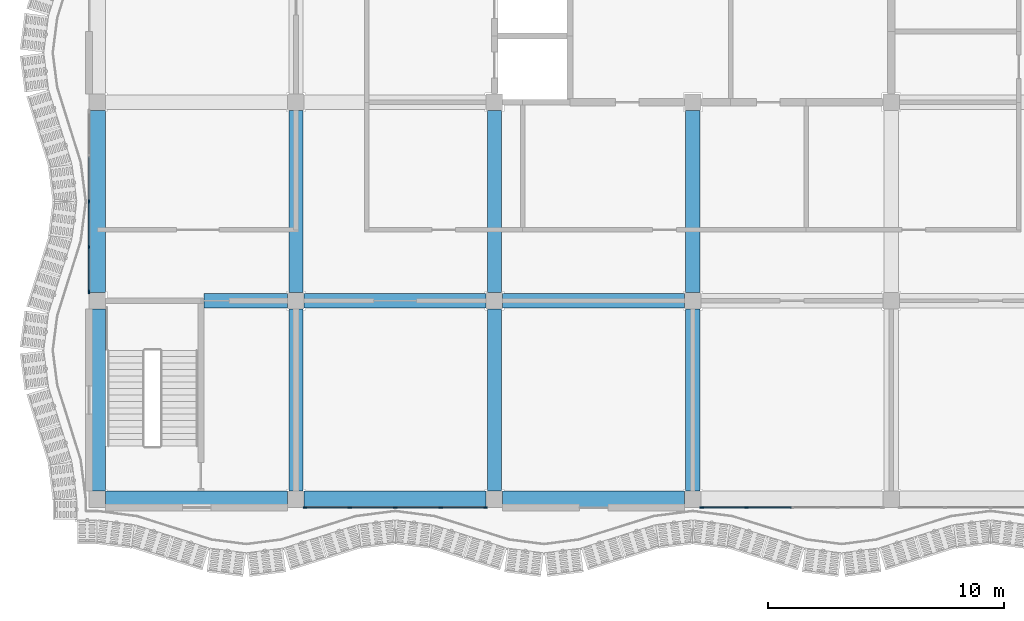
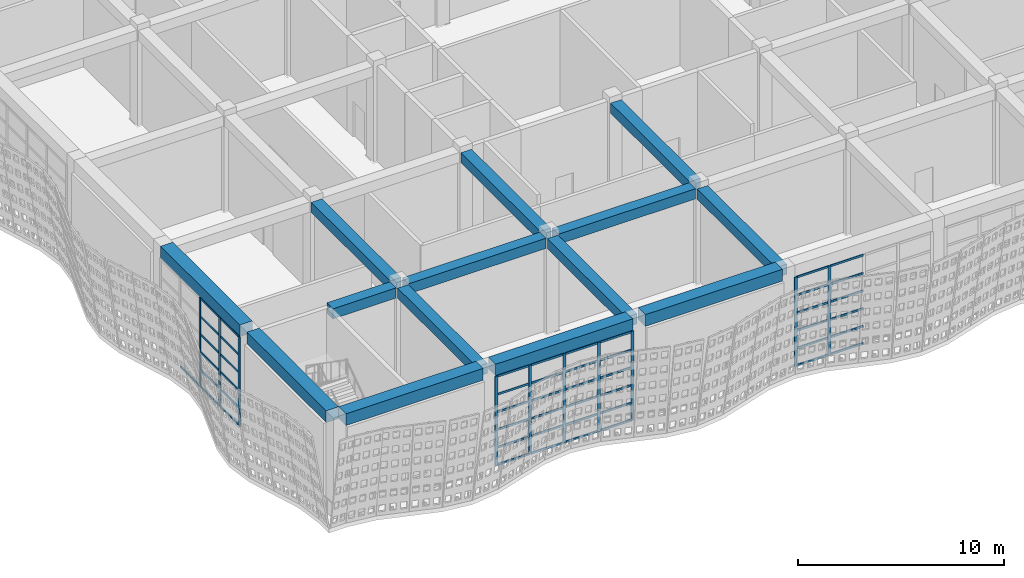
# One storey, part 21 of 210: 59 members, 14 beams, 3 elements without a shape of their own.
"""IFC4 building model written with IfcOpenShell, lengths in metres."""

from ifc_helpers import new_model, si_unit, direction, frame, origin, origin_2d, place, context, subcontext, project, spatial, rectangle, extrude, material, material_profile, profile_set, type_object, element, aggregate, save


model = new_model("IFC4")

# Units and contexts
model_context = context("Model", 3, precision=1e-05, world=origin(), true_north=direction((0.0, 1.0)))
body_context = subcontext(model_context, "Body", "Model", "MODEL_VIEW")
ifc_project = project(units=[si_unit("LENGTHUNIT", "METRE"), si_unit("AREAUNIT", "SQUARE_METRE"), si_unit("VOLUMEUNIT", "CUBIC_METRE"), si_unit("PLANEANGLEUNIT", "RADIAN"), si_unit("MASSUNIT", "GRAM", prefix="KILO")], contexts=[model_context])

# Site, building, storey
site_placement = place(None, origin())
site = spatial("IfcSite", under=ifc_project, at=site_placement, CompositionType="ELEMENT")
building_placement = place(site_placement, origin())
building = spatial("IfcBuilding", under=site, at=building_placement, Name="Rain Tree Exposition and Congress Centre", CompositionType="ELEMENT")
storey_placement = place(building_placement, origin())
storey = spatial("IfcBuildingStorey", under=building, at=storey_placement, Name="L00", CompositionType="ELEMENT", Elevation=0.0)

# Beams
ifc_material_1 = material(Name="Precast concrete C50/60", Category="concrete")
ifc_material_profile_1 = material_profile(ifc_material_1, rectangle(XDim=0.60009765625, YDim=0.60009765625, at=origin_2d()), Name="RC 600x600")
ifc_profile_set_1 = profile_set([ifc_material_profile_1], Name="Precast concrete C50/60")
beam_type_1 = type_object("IfcBeamType", Name="Precast beam 600x600", PredefinedType="BEAM", material=ifc_profile_set_1)
beam_1_placement = place(storey_placement, frame((4.5, 8.39990234375, 5.35009765625), z_axis=(1.0, 0.0, 0.0), x_axis=(0.0, 1.0, 0.0)))
element("IfcBeam", 1, at=beam_1_placement, inside=storey, type_object=beam_type_1, Name="wing/beam/L00/L01/013", PredefinedType="BEAM", context=body_context, shape_type="SweptSolid", body=[
    extrude(rectangle(XDim=0.60009765625, YDim=0.60009765625, at=origin_2d()), origin(), (0.0, 0.0, 1.0), 3.550048828125),
])
for number, where, z_axis, x_axis, name in (
    (2, (8.39990234375, 0.35009765625, 5.35009765625), (0.0, 1.0, 0.0), (-1.0, 0.0, 0.0), "wing/beam/L00/L01/014"),
    (3, (8.75, 8.39990234375, 5.35009765625), (1.0, 0.0, 0.0), (0.0, 1.0, 0.0), "wing/beam/L00/L01/015"),
    (4, (8.39990234375, 8.75, 5.35009765625), (0.0, 1.0, 0.0), (-1.0, 0.0, 0.0), "wing/beam/L00/L01/016"),
):
    element("IfcBeam", number, at=place(storey_placement, frame(where, z_axis=z_axis, x_axis=x_axis)), inside=storey, type_object=beam_type_1, Name=name, PredefinedType="BEAM", context=body_context, shape_type="SweptSolid", body=[
        extrude(rectangle(XDim=0.60009765625, YDim=0.60009765625, at=origin_2d()), origin(), (0.0, 0.0, 1.0), 7.699951171875),
    ])
beam_2_placement = place(storey_placement, frame((17.14990234375, 8.39990234375, 5.35009765625), z_axis=(1.0, 0.0, 0.0), x_axis=(0.0, 1.0, 0.0)))
element("IfcBeam", 5, at=beam_2_placement, inside=storey, type_object=beam_type_1, Name="wing/beam/L00/L01/017", PredefinedType="BEAM", context=body_context, shape_type="SweptSolid", body=[
    extrude(rectangle(XDim=0.60009765625, YDim=0.60009765625, at=origin_2d()), origin(), (0.0, 0.0, 1.0), 7.7001953125),
])
for number, where, z_axis, x_axis, name in (
    (6, (16.800048828125, 0.35009765625, 5.35009765625), (0.0, 1.0, 0.0), (-1.0, 0.0, 0.0), "wing/beam/L00/L01/026"),
    (7, (16.800048828125, 8.75, 5.35009765625), (0.0, 1.0, 0.0), (-1.0, 0.0, 0.0), "wing/beam/L00/L01/028"),
    (8, (25.199951171875, 0.35009765625, 5.35009765625), (0.0, 1.0, 0.0), (-1.0, 0.0, 0.0), "wing/beam/L00/L01/034"),
    (9, (25.199951171875, 8.75, 5.35009765625), (0.0, 1.0, 0.0), (-1.0, 0.0, 0.0), "wing/beam/L00/L01/036"),
):
    element("IfcBeam", number, at=place(storey_placement, frame(where, z_axis=z_axis, x_axis=x_axis)), inside=storey, type_object=beam_type_1, Name=name, PredefinedType="BEAM", context=body_context, shape_type="SweptSolid", body=[
        extrude(rectangle(XDim=0.60009765625, YDim=0.60009765625, at=origin_2d()), origin(), (0.0, 0.0, 1.0), 7.699951171875),
    ])
ifc_material_2 = material(Name="Precast concrete C50/60", Category="concrete")
ifc_material_profile_2 = material_profile(ifc_material_2, rectangle(XDim=0.699951171875, YDim=0.699951171875, at=origin_2d()), Name="RC 700x700")
ifc_profile_set_2 = profile_set([ifc_material_profile_2], Name="Precast concrete C50/60")
beam_type_2 = type_object("IfcBeamType", Name="Precast spandrel beam 700x700", PredefinedType="SPANDREL", material=ifc_profile_set_2)
for number, where, z_axis, x_axis, name in (
    (10, (0.35009765625, 0.0, 5.64990234375), (1.0, 0.0, 0.0), (0.0, 1.0, 0.0), "wing/beam/L00/L01/001"),
    (11, (0.0, 0.35009765625, 5.64990234375), (0.0, 1.0, 0.0), (-1.0, 0.0, 0.0), "wing/beam/L00/L01/002"),
    (12, (8.75, 0.0, 5.64990234375), (1.0, 0.0, 0.0), (0.0, 1.0, 0.0), "wing/beam/L00/L01/003"),
    (13, (0.0, 8.75, 5.64990234375), (0.0, 1.0, 0.0), (-1.0, 0.0, 0.0), "wing/beam/L00/L01/004"),
):
    element("IfcBeam", number, at=place(storey_placement, frame(where, z_axis=z_axis, x_axis=x_axis)), inside=storey, type_object=beam_type_2, Name=name, PredefinedType="SPANDREL", context=body_context, shape_type="SweptSolid", body=[
        extrude(rectangle(XDim=0.699951171875, YDim=0.699951171875, at=origin_2d()), origin(), (0.0, 0.0, 1.0), 7.699951171875),
    ])
beam_3_placement = place(storey_placement, frame((17.14990234375, 0.0, 5.64990234375), z_axis=(1.0, 0.0, 0.0), x_axis=(0.0, 1.0, 0.0)))
element("IfcBeam", 14, at=beam_3_placement, inside=storey, type_object=beam_type_2, Name="wing/beam/L00/L01/005", PredefinedType="SPANDREL", context=body_context, shape_type="SweptSolid", body=[
    extrude(rectangle(XDim=0.699951171875, YDim=0.699951171875, at=origin_2d()), origin(), (0.0, 0.0, 1.0), 7.7001953125),
])

# Curtain wall, members
ifc_material_3 = material(Name="Aluminium curtain wall", Category="aluminium")
curtain_wall_type = type_object("IfcCurtainWallType", Name="Wing curtain wall 1925", PredefinedType="NOTDEFINED", material=ifc_material_3)
curtain_wall_1_placement = place(storey_placement, origin())
curtain_wall_1 = element("IfcCurtainWall", 15, at=curtain_wall_1_placement, inside=storey, type_object=curtain_wall_type, Name="Curtain wall CWW101", PredefinedType="NOTDEFINED")
ifc_material_4 = material(Name="Aluminium", Category="aluminium")
ifc_material_profile_3 = material_profile(ifc_material_4, rectangle(XDim=0.06005859375, YDim=0.159912109375, at=origin_2d()), Name="Aluminium 60x160")
ifc_profile_set_3 = profile_set([ifc_material_profile_3], Name="Aluminium")
member_type_1 = type_object("IfcMemberType", Name="Wing mullion 60x160", PredefinedType="MULLION", material=ifc_profile_set_3)
member_1_placement = place(storey_placement, frame((8.780029296875, -0.35009765625, 0.0), z_axis=(0.0, 0.0, 1.0), x_axis=(0.0, 1.0, 0.0)))
member_1 = element("IfcMember", 16, at=member_1_placement, type_object=member_type_1, Name="CWW101 mullion 1", PredefinedType="MULLION", context=body_context, shape_type="SweptSolid", body=[
    extrude(rectangle(XDim=0.06005859375, YDim=0.159912109375, at=origin_2d()), origin(), (0.0, 0.0, 1.0), 5.300048828125),
])
member_2_placement = place(storey_placement, frame((10.675048828125, -0.35009765625, 0.0), z_axis=(0.0, 0.0, 1.0), x_axis=(0.0, 1.0, 0.0)))
member_2 = element("IfcMember", 17, at=member_2_placement, type_object=member_type_1, Name="CWW101 mullion 2", PredefinedType="MULLION", context=body_context, shape_type="SweptSolid", body=[
    extrude(rectangle(XDim=0.06005859375, YDim=0.159912109375, at=origin_2d()), origin(), (0.0, 0.0, 1.0), 5.300048828125),
])
member_3_placement = place(storey_placement, frame((12.60009765625, -0.35009765625, 0.0), z_axis=(0.0, 0.0, 1.0), x_axis=(0.0, 1.0, 0.0)))
member_3 = element("IfcMember", 18, at=member_3_placement, type_object=member_type_1, Name="CWW101 mullion 3", PredefinedType="MULLION", context=body_context, shape_type="SweptSolid", body=[
    extrude(rectangle(XDim=0.06005859375, YDim=0.159912109375, at=origin_2d()), origin(), (0.0, 0.0, 1.0), 5.300048828125),
])
member_4_placement = place(storey_placement, frame((14.52490234375, -0.35009765625, 0.0), z_axis=(0.0, 0.0, 1.0), x_axis=(0.0, 1.0, 0.0)))
member_4 = element("IfcMember", 19, at=member_4_placement, type_object=member_type_1, Name="CWW101 mullion 4", PredefinedType="MULLION", context=body_context, shape_type="SweptSolid", body=[
    extrude(rectangle(XDim=0.06005859375, YDim=0.159912109375, at=origin_2d()), origin(), (0.0, 0.0, 1.0), 5.300048828125),
])
member_5_placement = place(storey_placement, frame((16.419921875, -0.35009765625, 0.0), z_axis=(0.0, 0.0, 1.0), x_axis=(0.0, 1.0, 0.0)))
member_5 = element("IfcMember", 20, at=member_5_placement, type_object=member_type_1, Name="CWW101 mullion 5", PredefinedType="MULLION", context=body_context, shape_type="SweptSolid", body=[
    extrude(rectangle(XDim=0.06005859375, YDim=0.159912109375, at=origin_2d()), origin(), (0.0, 0.0, 1.0), 5.300048828125),
])

curtain_wall_2_placement = place(storey_placement, origin())
curtain_wall_2 = element("IfcCurtainWall", 21, at=curtain_wall_2_placement, inside=storey, type_object=curtain_wall_type, Name="Curtain wall CWW102", PredefinedType="NOTDEFINED")
member_6_placement = place(storey_placement, frame((25.580078125, -0.35009765625, 0.0), z_axis=(0.0, 0.0, 1.0), x_axis=(0.0, 1.0, 0.0)))
member_6 = element("IfcMember", 22, at=member_6_placement, type_object=member_type_1, Name="CWW102 mullion 1", PredefinedType="MULLION", context=body_context, shape_type="SweptSolid", body=[
    extrude(rectangle(XDim=0.06005859375, YDim=0.159912109375, at=origin_2d()), origin(), (0.0, 0.0, 1.0), 5.300048828125),
])
member_7_placement = place(storey_placement, frame((27.47509765625, -0.35009765625, 0.0), z_axis=(0.0, 0.0, 1.0), x_axis=(0.0, 1.0, 0.0)))
member_7 = element("IfcMember", 23, at=member_7_placement, type_object=member_type_1, Name="CWW102 mullion 2", PredefinedType="MULLION", context=body_context, shape_type="SweptSolid", body=[
    extrude(rectangle(XDim=0.06005859375, YDim=0.159912109375, at=origin_2d()), origin(), (0.0, 0.0, 1.0), 5.300048828125),
])

curtain_wall_3_placement = place(storey_placement, origin())
curtain_wall_3 = element("IfcCurtainWall", 24, at=curtain_wall_3_placement, inside=storey, type_object=curtain_wall_type, Name="Curtain wall CWW106", PredefinedType="NOTDEFINED")
member_8_placement = place(storey_placement, frame((-0.35009765625, 8.780029296875, 0.0), z_axis=(0.0, 0.0, 1.0), x_axis=(-1.0, 0.0, 0.0)))
member_8 = element("IfcMember", 25, at=member_8_placement, type_object=member_type_1, Name="CWW106 mullion 1", PredefinedType="MULLION", context=body_context, shape_type="SweptSolid", body=[
    extrude(rectangle(XDim=0.06005859375, YDim=0.159912109375, at=origin_2d()), origin(), (0.0, 0.0, 1.0), 5.300048828125),
])
member_9_placement = place(storey_placement, frame((-0.35009765625, 10.675048828125, 0.0), z_axis=(0.0, 0.0, 1.0), x_axis=(-1.0, 0.0, 0.0)))
member_9 = element("IfcMember", 26, at=member_9_placement, type_object=member_type_1, Name="CWW106 mullion 2", PredefinedType="MULLION", context=body_context, shape_type="SweptSolid", body=[
    extrude(rectangle(XDim=0.06005859375, YDim=0.159912109375, at=origin_2d()), origin(), (0.0, 0.0, 1.0), 5.300048828125),
])
member_10_placement = place(storey_placement, frame((-0.35009765625, 12.60009765625, 0.0), z_axis=(0.0, 0.0, 1.0), x_axis=(-1.0, 0.0, 0.0)))
member_10 = element("IfcMember", 27, at=member_10_placement, type_object=member_type_1, Name="CWW106 mullion 3", PredefinedType="MULLION", context=body_context, shape_type="SweptSolid", body=[
    extrude(rectangle(XDim=0.06005859375, YDim=0.159912109375, at=origin_2d()), origin(), (0.0, 0.0, 1.0), 5.300048828125),
])

# Member
ifc_material_5 = material(Name="Aluminium", Category="aluminium")
ifc_material_profile_4 = material_profile(ifc_material_5, rectangle(XDim=0.06005859375, YDim=0.1201171875, at=origin_2d()), Name="Aluminium 60x120")
ifc_profile_set_4 = profile_set([ifc_material_profile_4], Name="Aluminium")
member_type_2 = type_object("IfcMemberType", Name="Wing transom 60x120", PredefinedType="USERDEFINED", material=ifc_profile_set_4)
member_11_placement = place(storey_placement, frame((8.81005859375, -0.35009765625, 0.030029296875), z_axis=(1.0, 0.0, 0.0), x_axis=(0.0, 1.0, 0.0)))
member_11 = element("IfcMember", 28, at=member_11_placement, type_object=member_type_2, Name="CWW101 transom 1.1", ObjectType="TRANSOM", PredefinedType="USERDEFINED", context=body_context, shape_type="SweptSolid", body=[
    extrude(rectangle(XDim=0.06005859375, YDim=0.1201171875, at=origin_2d()), origin(), (0.0, 0.0, 1.0), 1.8349609375),
])

member_12_placement = place(storey_placement, frame((8.81005859375, -0.35009765625, 1.050048828125), z_axis=(1.0, 0.0, 0.0), x_axis=(0.0, 1.0, 0.0)))
member_12 = element("IfcMember", 29, at=member_12_placement, type_object=member_type_2, Name="CWW101 transom 1.2", ObjectType="TRANSOM", PredefinedType="USERDEFINED", context=body_context, shape_type="SweptSolid", body=[
    extrude(rectangle(XDim=0.06005859375, YDim=0.1201171875, at=origin_2d()), origin(), (0.0, 0.0, 1.0), 1.8349609375),
])

member_13_placement = place(storey_placement, frame((8.81005859375, -0.35009765625, 2.10009765625), z_axis=(1.0, 0.0, 0.0), x_axis=(0.0, 1.0, 0.0)))
member_13 = element("IfcMember", 30, at=member_13_placement, type_object=member_type_2, Name="CWW101 transom 1.3", ObjectType="TRANSOM", PredefinedType="USERDEFINED", context=body_context, shape_type="SweptSolid", body=[
    extrude(rectangle(XDim=0.06005859375, YDim=0.1201171875, at=origin_2d()), origin(), (0.0, 0.0, 1.0), 1.8349609375),
])

member_14_placement = place(storey_placement, frame((8.81005859375, -0.35009765625, 3.14990234375), z_axis=(1.0, 0.0, 0.0), x_axis=(0.0, 1.0, 0.0)))
member_14 = element("IfcMember", 31, at=member_14_placement, type_object=member_type_2, Name="CWW101 transom 1.4", ObjectType="TRANSOM", PredefinedType="USERDEFINED", context=body_context, shape_type="SweptSolid", body=[
    extrude(rectangle(XDim=0.06005859375, YDim=0.1201171875, at=origin_2d()), origin(), (0.0, 0.0, 1.0), 1.8349609375),
])

member_15_placement = place(storey_placement, frame((8.81005859375, -0.35009765625, 4.199951171875), z_axis=(1.0, 0.0, 0.0), x_axis=(0.0, 1.0, 0.0)))
member_15 = element("IfcMember", 32, at=member_15_placement, type_object=member_type_2, Name="CWW101 transom 1.5", ObjectType="TRANSOM", PredefinedType="USERDEFINED", context=body_context, shape_type="SweptSolid", body=[
    extrude(rectangle(XDim=0.06005859375, YDim=0.1201171875, at=origin_2d()), origin(), (0.0, 0.0, 1.0), 1.8349609375),
])

member_16_placement = place(storey_placement, frame((8.81005859375, -0.35009765625, 5.27001953125), z_axis=(1.0, 0.0, 0.0), x_axis=(0.0, 1.0, 0.0)))
member_16 = element("IfcMember", 33, at=member_16_placement, type_object=member_type_2, Name="CWW101 transom 1.6", ObjectType="TRANSOM", PredefinedType="USERDEFINED", context=body_context, shape_type="SweptSolid", body=[
    extrude(rectangle(XDim=0.06005859375, YDim=0.1201171875, at=origin_2d()), origin(), (0.0, 0.0, 1.0), 1.8349609375),
])

member_17_placement = place(storey_placement, frame((10.705078125, -0.35009765625, 0.030029296875), z_axis=(1.0, 0.0, 0.0), x_axis=(0.0, 1.0, 0.0)))
member_17 = element("IfcMember", 34, at=member_17_placement, type_object=member_type_2, Name="CWW101 transom 2.1", ObjectType="TRANSOM", PredefinedType="USERDEFINED", context=body_context, shape_type="SweptSolid", body=[
    extrude(rectangle(XDim=0.06005859375, YDim=0.1201171875, at=origin_2d()), origin(), (0.0, 0.0, 1.0), 1.864990234375),
])

member_18_placement = place(storey_placement, frame((10.705078125, -0.35009765625, 1.050048828125), z_axis=(1.0, 0.0, 0.0), x_axis=(0.0, 1.0, 0.0)))
member_18 = element("IfcMember", 35, at=member_18_placement, type_object=member_type_2, Name="CWW101 transom 2.2", ObjectType="TRANSOM", PredefinedType="USERDEFINED", context=body_context, shape_type="SweptSolid", body=[
    extrude(rectangle(XDim=0.06005859375, YDim=0.1201171875, at=origin_2d()), origin(), (0.0, 0.0, 1.0), 1.864990234375),
])

member_19_placement = place(storey_placement, frame((10.705078125, -0.35009765625, 2.10009765625), z_axis=(1.0, 0.0, 0.0), x_axis=(0.0, 1.0, 0.0)))
member_19 = element("IfcMember", 36, at=member_19_placement, type_object=member_type_2, Name="CWW101 transom 2.3", ObjectType="TRANSOM", PredefinedType="USERDEFINED", context=body_context, shape_type="SweptSolid", body=[
    extrude(rectangle(XDim=0.06005859375, YDim=0.1201171875, at=origin_2d()), origin(), (0.0, 0.0, 1.0), 1.864990234375),
])

member_20_placement = place(storey_placement, frame((10.705078125, -0.35009765625, 3.14990234375), z_axis=(1.0, 0.0, 0.0), x_axis=(0.0, 1.0, 0.0)))
member_20 = element("IfcMember", 37, at=member_20_placement, type_object=member_type_2, Name="CWW101 transom 2.4", ObjectType="TRANSOM", PredefinedType="USERDEFINED", context=body_context, shape_type="SweptSolid", body=[
    extrude(rectangle(XDim=0.06005859375, YDim=0.1201171875, at=origin_2d()), origin(), (0.0, 0.0, 1.0), 1.864990234375),
])

member_21_placement = place(storey_placement, frame((10.705078125, -0.35009765625, 4.199951171875), z_axis=(1.0, 0.0, 0.0), x_axis=(0.0, 1.0, 0.0)))
member_21 = element("IfcMember", 38, at=member_21_placement, type_object=member_type_2, Name="CWW101 transom 2.5", ObjectType="TRANSOM", PredefinedType="USERDEFINED", context=body_context, shape_type="SweptSolid", body=[
    extrude(rectangle(XDim=0.06005859375, YDim=0.1201171875, at=origin_2d()), origin(), (0.0, 0.0, 1.0), 1.864990234375),
])

member_22_placement = place(storey_placement, frame((10.705078125, -0.35009765625, 5.27001953125), z_axis=(1.0, 0.0, 0.0), x_axis=(0.0, 1.0, 0.0)))
member_22 = element("IfcMember", 39, at=member_22_placement, type_object=member_type_2, Name="CWW101 transom 2.6", ObjectType="TRANSOM", PredefinedType="USERDEFINED", context=body_context, shape_type="SweptSolid", body=[
    extrude(rectangle(XDim=0.06005859375, YDim=0.1201171875, at=origin_2d()), origin(), (0.0, 0.0, 1.0), 1.864990234375),
])

member_23_placement = place(storey_placement, frame((12.6298828125, -0.35009765625, 0.030029296875), z_axis=(1.0, 0.0, 0.0), x_axis=(0.0, 1.0, 0.0)))
member_23 = element("IfcMember", 40, at=member_23_placement, type_object=member_type_2, Name="CWW101 transom 3.1", ObjectType="TRANSOM", PredefinedType="USERDEFINED", context=body_context, shape_type="SweptSolid", body=[
    extrude(rectangle(XDim=0.06005859375, YDim=0.1201171875, at=origin_2d()), origin(), (0.0, 0.0, 1.0), 1.865234375),
])

member_24_placement = place(storey_placement, frame((12.6298828125, -0.35009765625, 1.050048828125), z_axis=(1.0, 0.0, 0.0), x_axis=(0.0, 1.0, 0.0)))
member_24 = element("IfcMember", 41, at=member_24_placement, type_object=member_type_2, Name="CWW101 transom 3.2", ObjectType="TRANSOM", PredefinedType="USERDEFINED", context=body_context, shape_type="SweptSolid", body=[
    extrude(rectangle(XDim=0.06005859375, YDim=0.1201171875, at=origin_2d()), origin(), (0.0, 0.0, 1.0), 1.865234375),
])

member_25_placement = place(storey_placement, frame((12.6298828125, -0.35009765625, 2.10009765625), z_axis=(1.0, 0.0, 0.0), x_axis=(0.0, 1.0, 0.0)))
member_25 = element("IfcMember", 42, at=member_25_placement, type_object=member_type_2, Name="CWW101 transom 3.3", ObjectType="TRANSOM", PredefinedType="USERDEFINED", context=body_context, shape_type="SweptSolid", body=[
    extrude(rectangle(XDim=0.06005859375, YDim=0.1201171875, at=origin_2d()), origin(), (0.0, 0.0, 1.0), 1.865234375),
])

member_26_placement = place(storey_placement, frame((12.6298828125, -0.35009765625, 3.14990234375), z_axis=(1.0, 0.0, 0.0), x_axis=(0.0, 1.0, 0.0)))
member_26 = element("IfcMember", 43, at=member_26_placement, type_object=member_type_2, Name="CWW101 transom 3.4", ObjectType="TRANSOM", PredefinedType="USERDEFINED", context=body_context, shape_type="SweptSolid", body=[
    extrude(rectangle(XDim=0.06005859375, YDim=0.1201171875, at=origin_2d()), origin(), (0.0, 0.0, 1.0), 1.865234375),
])

member_27_placement = place(storey_placement, frame((12.6298828125, -0.35009765625, 4.199951171875), z_axis=(1.0, 0.0, 0.0), x_axis=(0.0, 1.0, 0.0)))
member_27 = element("IfcMember", 44, at=member_27_placement, type_object=member_type_2, Name="CWW101 transom 3.5", ObjectType="TRANSOM", PredefinedType="USERDEFINED", context=body_context, shape_type="SweptSolid", body=[
    extrude(rectangle(XDim=0.06005859375, YDim=0.1201171875, at=origin_2d()), origin(), (0.0, 0.0, 1.0), 1.865234375),
])

member_28_placement = place(storey_placement, frame((12.6298828125, -0.35009765625, 5.27001953125), z_axis=(1.0, 0.0, 0.0), x_axis=(0.0, 1.0, 0.0)))
member_28 = element("IfcMember", 45, at=member_28_placement, type_object=member_type_2, Name="CWW101 transom 3.6", ObjectType="TRANSOM", PredefinedType="USERDEFINED", context=body_context, shape_type="SweptSolid", body=[
    extrude(rectangle(XDim=0.06005859375, YDim=0.1201171875, at=origin_2d()), origin(), (0.0, 0.0, 1.0), 1.865234375),
])

member_29_placement = place(storey_placement, frame((14.554931640625, -0.35009765625, 0.030029296875), z_axis=(1.0, 0.0, 0.0), x_axis=(0.0, 1.0, 0.0)))
member_29 = element("IfcMember", 46, at=member_29_placement, type_object=member_type_2, Name="CWW101 transom 4.1", ObjectType="TRANSOM", PredefinedType="USERDEFINED", context=body_context, shape_type="SweptSolid", body=[
    extrude(rectangle(XDim=0.06005859375, YDim=0.1201171875, at=origin_2d()), origin(), (0.0, 0.0, 1.0), 1.8349609375),
])

member_30_placement = place(storey_placement, frame((14.554931640625, -0.35009765625, 1.050048828125), z_axis=(1.0, 0.0, 0.0), x_axis=(0.0, 1.0, 0.0)))
member_30 = element("IfcMember", 47, at=member_30_placement, type_object=member_type_2, Name="CWW101 transom 4.2", ObjectType="TRANSOM", PredefinedType="USERDEFINED", context=body_context, shape_type="SweptSolid", body=[
    extrude(rectangle(XDim=0.06005859375, YDim=0.1201171875, at=origin_2d()), origin(), (0.0, 0.0, 1.0), 1.8349609375),
])

member_31_placement = place(storey_placement, frame((14.554931640625, -0.35009765625, 2.10009765625), z_axis=(1.0, 0.0, 0.0), x_axis=(0.0, 1.0, 0.0)))
member_31 = element("IfcMember", 48, at=member_31_placement, type_object=member_type_2, Name="CWW101 transom 4.3", ObjectType="TRANSOM", PredefinedType="USERDEFINED", context=body_context, shape_type="SweptSolid", body=[
    extrude(rectangle(XDim=0.06005859375, YDim=0.1201171875, at=origin_2d()), origin(), (0.0, 0.0, 1.0), 1.8349609375),
])

member_32_placement = place(storey_placement, frame((14.554931640625, -0.35009765625, 3.14990234375), z_axis=(1.0, 0.0, 0.0), x_axis=(0.0, 1.0, 0.0)))
member_32 = element("IfcMember", 49, at=member_32_placement, type_object=member_type_2, Name="CWW101 transom 4.4", ObjectType="TRANSOM", PredefinedType="USERDEFINED", context=body_context, shape_type="SweptSolid", body=[
    extrude(rectangle(XDim=0.06005859375, YDim=0.1201171875, at=origin_2d()), origin(), (0.0, 0.0, 1.0), 1.8349609375),
])

member_33_placement = place(storey_placement, frame((14.554931640625, -0.35009765625, 4.199951171875), z_axis=(1.0, 0.0, 0.0), x_axis=(0.0, 1.0, 0.0)))
member_33 = element("IfcMember", 50, at=member_33_placement, type_object=member_type_2, Name="CWW101 transom 4.5", ObjectType="TRANSOM", PredefinedType="USERDEFINED", context=body_context, shape_type="SweptSolid", body=[
    extrude(rectangle(XDim=0.06005859375, YDim=0.1201171875, at=origin_2d()), origin(), (0.0, 0.0, 1.0), 1.8349609375),
])

member_34_placement = place(storey_placement, frame((14.554931640625, -0.35009765625, 5.27001953125), z_axis=(1.0, 0.0, 0.0), x_axis=(0.0, 1.0, 0.0)))
member_34 = element("IfcMember", 51, at=member_34_placement, type_object=member_type_2, Name="CWW101 transom 4.6", ObjectType="TRANSOM", PredefinedType="USERDEFINED", context=body_context, shape_type="SweptSolid", body=[
    extrude(rectangle(XDim=0.06005859375, YDim=0.1201171875, at=origin_2d()), origin(), (0.0, 0.0, 1.0), 1.8349609375),
])

aggregate(curtain_wall_1, [member_1, member_2, member_3, member_4, member_5, member_11, member_12, member_13, member_14, member_15, member_16, member_17, member_18, member_19, member_20, member_21, member_22, member_23, member_24, member_25, member_26, member_27, member_28, member_29, member_30, member_31, member_32, member_33, member_34])

member_35_placement = place(storey_placement, frame((25.610107421875, -0.35009765625, 0.030029296875), z_axis=(1.0, 0.0, 0.0), x_axis=(0.0, 1.0, 0.0)))
member_35 = element("IfcMember", 52, at=member_35_placement, type_object=member_type_2, Name="CWW102 transom 1.1", ObjectType="TRANSOM", PredefinedType="USERDEFINED", context=body_context, shape_type="SweptSolid", body=[
    extrude(rectangle(XDim=0.06005859375, YDim=0.1201171875, at=origin_2d()), origin(), (0.0, 0.0, 1.0), 1.8349609375),
])

member_36_placement = place(storey_placement, frame((25.610107421875, -0.35009765625, 1.050048828125), z_axis=(1.0, 0.0, 0.0), x_axis=(0.0, 1.0, 0.0)))
member_36 = element("IfcMember", 53, at=member_36_placement, type_object=member_type_2, Name="CWW102 transom 1.2", ObjectType="TRANSOM", PredefinedType="USERDEFINED", context=body_context, shape_type="SweptSolid", body=[
    extrude(rectangle(XDim=0.06005859375, YDim=0.1201171875, at=origin_2d()), origin(), (0.0, 0.0, 1.0), 1.8349609375),
])

member_37_placement = place(storey_placement, frame((25.610107421875, -0.35009765625, 2.10009765625), z_axis=(1.0, 0.0, 0.0), x_axis=(0.0, 1.0, 0.0)))
member_37 = element("IfcMember", 54, at=member_37_placement, type_object=member_type_2, Name="CWW102 transom 1.3", ObjectType="TRANSOM", PredefinedType="USERDEFINED", context=body_context, shape_type="SweptSolid", body=[
    extrude(rectangle(XDim=0.06005859375, YDim=0.1201171875, at=origin_2d()), origin(), (0.0, 0.0, 1.0), 1.8349609375),
])

member_38_placement = place(storey_placement, frame((25.610107421875, -0.35009765625, 3.14990234375), z_axis=(1.0, 0.0, 0.0), x_axis=(0.0, 1.0, 0.0)))
member_38 = element("IfcMember", 55, at=member_38_placement, type_object=member_type_2, Name="CWW102 transom 1.4", ObjectType="TRANSOM", PredefinedType="USERDEFINED", context=body_context, shape_type="SweptSolid", body=[
    extrude(rectangle(XDim=0.06005859375, YDim=0.1201171875, at=origin_2d()), origin(), (0.0, 0.0, 1.0), 1.8349609375),
])

member_39_placement = place(storey_placement, frame((25.610107421875, -0.35009765625, 4.199951171875), z_axis=(1.0, 0.0, 0.0), x_axis=(0.0, 1.0, 0.0)))
member_39 = element("IfcMember", 56, at=member_39_placement, type_object=member_type_2, Name="CWW102 transom 1.5", ObjectType="TRANSOM", PredefinedType="USERDEFINED", context=body_context, shape_type="SweptSolid", body=[
    extrude(rectangle(XDim=0.06005859375, YDim=0.1201171875, at=origin_2d()), origin(), (0.0, 0.0, 1.0), 1.8349609375),
])

member_40_placement = place(storey_placement, frame((25.610107421875, -0.35009765625, 5.27001953125), z_axis=(1.0, 0.0, 0.0), x_axis=(0.0, 1.0, 0.0)))
member_40 = element("IfcMember", 57, at=member_40_placement, type_object=member_type_2, Name="CWW102 transom 1.6", ObjectType="TRANSOM", PredefinedType="USERDEFINED", context=body_context, shape_type="SweptSolid", body=[
    extrude(rectangle(XDim=0.06005859375, YDim=0.1201171875, at=origin_2d()), origin(), (0.0, 0.0, 1.0), 1.8349609375),
])

member_41_placement = place(storey_placement, frame((27.5048828125, -0.35009765625, 0.030029296875), z_axis=(1.0, 0.0, 0.0), x_axis=(0.0, 1.0, 0.0)))
member_41 = element("IfcMember", 58, at=member_41_placement, type_object=member_type_2, Name="CWW102 transom 2.1", ObjectType="TRANSOM", PredefinedType="USERDEFINED", context=body_context, shape_type="SweptSolid", body=[
    extrude(rectangle(XDim=0.06005859375, YDim=0.1201171875, at=origin_2d()), origin(), (0.0, 0.0, 1.0), 1.865234375),
])

member_42_placement = place(storey_placement, frame((27.5048828125, -0.35009765625, 1.050048828125), z_axis=(1.0, 0.0, 0.0), x_axis=(0.0, 1.0, 0.0)))
member_42 = element("IfcMember", 59, at=member_42_placement, type_object=member_type_2, Name="CWW102 transom 2.2", ObjectType="TRANSOM", PredefinedType="USERDEFINED", context=body_context, shape_type="SweptSolid", body=[
    extrude(rectangle(XDim=0.06005859375, YDim=0.1201171875, at=origin_2d()), origin(), (0.0, 0.0, 1.0), 1.865234375),
])

member_43_placement = place(storey_placement, frame((27.5048828125, -0.35009765625, 2.10009765625), z_axis=(1.0, 0.0, 0.0), x_axis=(0.0, 1.0, 0.0)))
member_43 = element("IfcMember", 60, at=member_43_placement, type_object=member_type_2, Name="CWW102 transom 2.3", ObjectType="TRANSOM", PredefinedType="USERDEFINED", context=body_context, shape_type="SweptSolid", body=[
    extrude(rectangle(XDim=0.06005859375, YDim=0.1201171875, at=origin_2d()), origin(), (0.0, 0.0, 1.0), 1.865234375),
])

member_44_placement = place(storey_placement, frame((27.5048828125, -0.35009765625, 3.14990234375), z_axis=(1.0, 0.0, 0.0), x_axis=(0.0, 1.0, 0.0)))
member_44 = element("IfcMember", 61, at=member_44_placement, type_object=member_type_2, Name="CWW102 transom 2.4", ObjectType="TRANSOM", PredefinedType="USERDEFINED", context=body_context, shape_type="SweptSolid", body=[
    extrude(rectangle(XDim=0.06005859375, YDim=0.1201171875, at=origin_2d()), origin(), (0.0, 0.0, 1.0), 1.865234375),
])

member_45_placement = place(storey_placement, frame((27.5048828125, -0.35009765625, 4.199951171875), z_axis=(1.0, 0.0, 0.0), x_axis=(0.0, 1.0, 0.0)))
member_45 = element("IfcMember", 62, at=member_45_placement, type_object=member_type_2, Name="CWW102 transom 2.5", ObjectType="TRANSOM", PredefinedType="USERDEFINED", context=body_context, shape_type="SweptSolid", body=[
    extrude(rectangle(XDim=0.06005859375, YDim=0.1201171875, at=origin_2d()), origin(), (0.0, 0.0, 1.0), 1.865234375),
])

member_46_placement = place(storey_placement, frame((27.5048828125, -0.35009765625, 5.27001953125), z_axis=(1.0, 0.0, 0.0), x_axis=(0.0, 1.0, 0.0)))
member_46 = element("IfcMember", 63, at=member_46_placement, type_object=member_type_2, Name="CWW102 transom 2.6", ObjectType="TRANSOM", PredefinedType="USERDEFINED", context=body_context, shape_type="SweptSolid", body=[
    extrude(rectangle(XDim=0.06005859375, YDim=0.1201171875, at=origin_2d()), origin(), (0.0, 0.0, 1.0), 1.865234375),
])

aggregate(curtain_wall_2, [member_6, member_7, member_35, member_36, member_37, member_38, member_39, member_40, member_41, member_42, member_43, member_44, member_45, member_46])

member_47_placement = place(storey_placement, frame((-0.35009765625, 8.81005859375, 0.030029296875), z_axis=(0.0, 1.0, 0.0), x_axis=(-1.0, 0.0, 0.0)))
member_47 = element("IfcMember", 64, at=member_47_placement, type_object=member_type_2, Name="CWW106 transom 1.1", ObjectType="TRANSOM", PredefinedType="USERDEFINED", context=body_context, shape_type="SweptSolid", body=[
    extrude(rectangle(XDim=0.06005859375, YDim=0.1201171875, at=origin_2d()), origin(), (0.0, 0.0, 1.0), 1.8349609375),
])

member_48_placement = place(storey_placement, frame((-0.35009765625, 8.81005859375, 1.050048828125), z_axis=(0.0, 1.0, 0.0), x_axis=(-1.0, 0.0, 0.0)))
member_48 = element("IfcMember", 65, at=member_48_placement, type_object=member_type_2, Name="CWW106 transom 1.2", ObjectType="TRANSOM", PredefinedType="USERDEFINED", context=body_context, shape_type="SweptSolid", body=[
    extrude(rectangle(XDim=0.06005859375, YDim=0.1201171875, at=origin_2d()), origin(), (0.0, 0.0, 1.0), 1.8349609375),
])

member_49_placement = place(storey_placement, frame((-0.35009765625, 8.81005859375, 2.10009765625), z_axis=(0.0, 1.0, 0.0), x_axis=(-1.0, 0.0, 0.0)))
member_49 = element("IfcMember", 66, at=member_49_placement, type_object=member_type_2, Name="CWW106 transom 1.3", ObjectType="TRANSOM", PredefinedType="USERDEFINED", context=body_context, shape_type="SweptSolid", body=[
    extrude(rectangle(XDim=0.06005859375, YDim=0.1201171875, at=origin_2d()), origin(), (0.0, 0.0, 1.0), 1.8349609375),
])

member_50_placement = place(storey_placement, frame((-0.35009765625, 8.81005859375, 3.14990234375), z_axis=(0.0, 1.0, 0.0), x_axis=(-1.0, 0.0, 0.0)))
member_50 = element("IfcMember", 67, at=member_50_placement, type_object=member_type_2, Name="CWW106 transom 1.4", ObjectType="TRANSOM", PredefinedType="USERDEFINED", context=body_context, shape_type="SweptSolid", body=[
    extrude(rectangle(XDim=0.06005859375, YDim=0.1201171875, at=origin_2d()), origin(), (0.0, 0.0, 1.0), 1.8349609375),
])

member_51_placement = place(storey_placement, frame((-0.35009765625, 8.81005859375, 4.199951171875), z_axis=(0.0, 1.0, 0.0), x_axis=(-1.0, 0.0, 0.0)))
member_51 = element("IfcMember", 68, at=member_51_placement, type_object=member_type_2, Name="CWW106 transom 1.5", ObjectType="TRANSOM", PredefinedType="USERDEFINED", context=body_context, shape_type="SweptSolid", body=[
    extrude(rectangle(XDim=0.06005859375, YDim=0.1201171875, at=origin_2d()), origin(), (0.0, 0.0, 1.0), 1.8349609375),
])

member_52_placement = place(storey_placement, frame((-0.35009765625, 8.81005859375, 5.27001953125), z_axis=(0.0, 1.0, 0.0), x_axis=(-1.0, 0.0, 0.0)))
member_52 = element("IfcMember", 69, at=member_52_placement, type_object=member_type_2, Name="CWW106 transom 1.6", ObjectType="TRANSOM", PredefinedType="USERDEFINED", context=body_context, shape_type="SweptSolid", body=[
    extrude(rectangle(XDim=0.06005859375, YDim=0.1201171875, at=origin_2d()), origin(), (0.0, 0.0, 1.0), 1.8349609375),
])

member_53_placement = place(storey_placement, frame((-0.35009765625, 10.705078125, 0.030029296875), z_axis=(0.0, 1.0, 0.0), x_axis=(-1.0, 0.0, 0.0)))
member_53 = element("IfcMember", 70, at=member_53_placement, type_object=member_type_2, Name="CWW106 transom 2.1", ObjectType="TRANSOM", PredefinedType="USERDEFINED", context=body_context, shape_type="SweptSolid", body=[
    extrude(rectangle(XDim=0.06005859375, YDim=0.1201171875, at=origin_2d()), origin(), (0.0, 0.0, 1.0), 1.864990234375),
])

member_54_placement = place(storey_placement, frame((-0.35009765625, 10.705078125, 1.050048828125), z_axis=(0.0, 1.0, 0.0), x_axis=(-1.0, 0.0, 0.0)))
member_54 = element("IfcMember", 71, at=member_54_placement, type_object=member_type_2, Name="CWW106 transom 2.2", ObjectType="TRANSOM", PredefinedType="USERDEFINED", context=body_context, shape_type="SweptSolid", body=[
    extrude(rectangle(XDim=0.06005859375, YDim=0.1201171875, at=origin_2d()), origin(), (0.0, 0.0, 1.0), 1.864990234375),
])

member_55_placement = place(storey_placement, frame((-0.35009765625, 10.705078125, 2.10009765625), z_axis=(0.0, 1.0, 0.0), x_axis=(-1.0, 0.0, 0.0)))
member_55 = element("IfcMember", 72, at=member_55_placement, type_object=member_type_2, Name="CWW106 transom 2.3", ObjectType="TRANSOM", PredefinedType="USERDEFINED", context=body_context, shape_type="SweptSolid", body=[
    extrude(rectangle(XDim=0.06005859375, YDim=0.1201171875, at=origin_2d()), origin(), (0.0, 0.0, 1.0), 1.864990234375),
])

member_56_placement = place(storey_placement, frame((-0.35009765625, 10.705078125, 3.14990234375), z_axis=(0.0, 1.0, 0.0), x_axis=(-1.0, 0.0, 0.0)))
member_56 = element("IfcMember", 73, at=member_56_placement, type_object=member_type_2, Name="CWW106 transom 2.4", ObjectType="TRANSOM", PredefinedType="USERDEFINED", context=body_context, shape_type="SweptSolid", body=[
    extrude(rectangle(XDim=0.06005859375, YDim=0.1201171875, at=origin_2d()), origin(), (0.0, 0.0, 1.0), 1.864990234375),
])

member_57_placement = place(storey_placement, frame((-0.35009765625, 10.705078125, 4.199951171875), z_axis=(0.0, 1.0, 0.0), x_axis=(-1.0, 0.0, 0.0)))
member_57 = element("IfcMember", 74, at=member_57_placement, type_object=member_type_2, Name="CWW106 transom 2.5", ObjectType="TRANSOM", PredefinedType="USERDEFINED", context=body_context, shape_type="SweptSolid", body=[
    extrude(rectangle(XDim=0.06005859375, YDim=0.1201171875, at=origin_2d()), origin(), (0.0, 0.0, 1.0), 1.864990234375),
])

member_58_placement = place(storey_placement, frame((-0.35009765625, 10.705078125, 5.27001953125), z_axis=(0.0, 1.0, 0.0), x_axis=(-1.0, 0.0, 0.0)))
member_58 = element("IfcMember", 75, at=member_58_placement, type_object=member_type_2, Name="CWW106 transom 2.6", ObjectType="TRANSOM", PredefinedType="USERDEFINED", context=body_context, shape_type="SweptSolid", body=[
    extrude(rectangle(XDim=0.06005859375, YDim=0.1201171875, at=origin_2d()), origin(), (0.0, 0.0, 1.0), 1.864990234375),
])

member_59_placement = place(storey_placement, frame((-0.35009765625, 12.6298828125, 0.030029296875), z_axis=(0.0, 1.0, 0.0), x_axis=(-1.0, 0.0, 0.0)))
member_59 = element("IfcMember", 76, at=member_59_placement, type_object=member_type_2, Name="CWW106 transom 3.1", ObjectType="TRANSOM", PredefinedType="USERDEFINED", context=body_context, shape_type="SweptSolid", body=[
    extrude(rectangle(XDim=0.06005859375, YDim=0.1201171875, at=origin_2d()), origin(), (0.0, 0.0, 1.0), 1.865234375),
])

aggregate(curtain_wall_3, [member_8, member_9, member_10, member_47, member_48, member_49, member_50, member_51, member_52, member_53, member_54, member_55, member_56, member_57, member_58, member_59])

save(model, "model.ifc")
